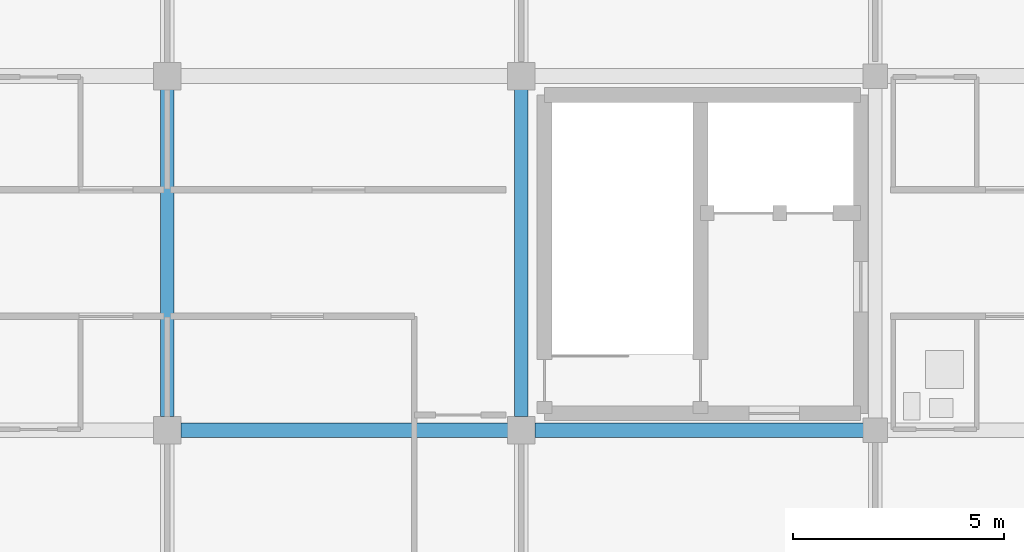
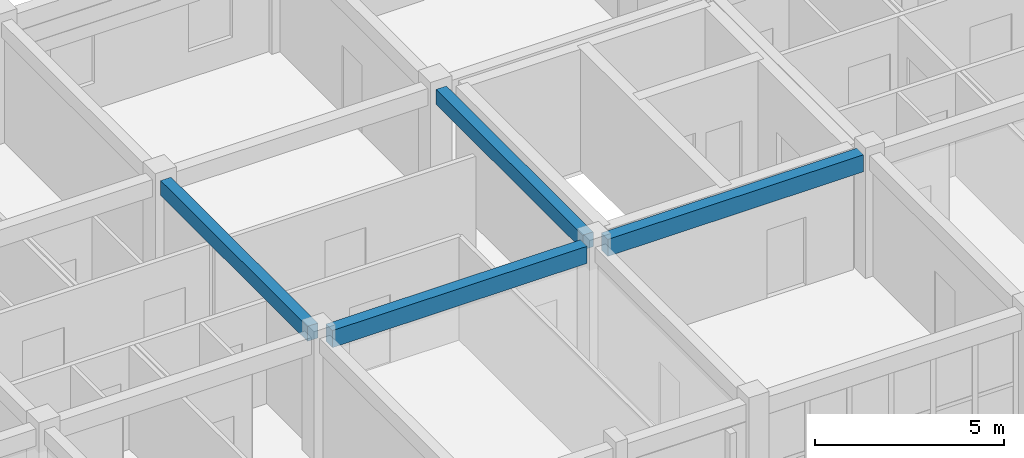
# One storey, part 22 of 81: 4 beams.
"""IFC4 building model written with IfcOpenShell, lengths in metres."""

import ifcopenshell
import ifcopenshell.guid

model = None  # the IFC model being written
_history = None  # IfcOwnerHistory: only IFC2X3 demands one
_inside = {}  # id of a spatial element -> (the spatial element, [elements in it])
_under = {}  # id of a project, library or spatial element -> (it, [spatial elements below it])
_declared = {}  # id of a project -> (the project, [libraries it declares])
_typed = {}  # id of a type object -> (the type object, [elements of that type])
_made_of = {}  # id of a material, layer set ... -> (it, [elements and type objects made of it])


def new_model(schema):
    """Start an empty IFC model of exactly this schema.

    Asked for "IFC4X3", IfcOpenShell would pick the latest addendum, in which some entities
    have other attributes; the version numbers below select the first issue.
    IFC2X3 requires an IfcOwnerHistory on every rooted entity: one is made here for all.
    """
    global model, _history
    if schema == "IFC4X3":
        model = ifcopenshell.file(schema_version=(4, 3, 0, 0))
    else:
        model = ifcopenshell.file(schema=schema)
    _inside.clear()
    _under.clear()
    _declared.clear()
    _typed.clear()
    _made_of.clear()
    _history = None
    if model.schema == "IFC2X3":
        org = make("IfcOrganization", Name="unknown")
        user = make(
            "IfcPersonAndOrganization",
            ThePerson=make("IfcPerson", FamilyName="unknown"),
            TheOrganization=org,
        )
        app = make(
            "IfcApplication",
            ApplicationDeveloper=org,
            Version="unknown",
            ApplicationFullName="unknown",
            ApplicationIdentifier="unknown",
        )
        _history = make(
            "IfcOwnerHistory",
            OwningUser=user,
            OwningApplication=app,
            ChangeAction="ADDED",
            CreationDate=0,
        )
    return model


def make(cls, **values):
    """One entity of the class cls with the attributes given. An attribute that is None is left unset."""
    return model.create_entity(
        cls, **{name: value for name, value in values.items() if value is not None}
    )


def rooted(cls, **values):
    """An entity with a GlobalId (a new one), such as an element, a storey or a relation."""
    return make(cls, GlobalId=ifcopenshell.guid.new(), OwnerHistory=_history, **values)


def si_unit(unit_type, name, prefix=None):
    """IfcSIUnit, for example si_unit("LENGTHUNIT", "METRE", prefix="MILLI")."""
    return make("IfcSIUnit", UnitType=unit_type, Prefix=prefix, Name=name)


def assignment(units):
    """IfcUnitAssignment: the units of a project."""
    return None if units is None else make("IfcUnitAssignment", Units=units)


def point(xyz):
    """IfcCartesianPoint."""
    return None if xyz is None else make("IfcCartesianPoint", Coordinates=xyz)


def direction(xyz):
    """IfcDirection."""
    return None if xyz is None else make("IfcDirection", DirectionRatios=xyz)


def frame(location, z_axis=None, x_axis=None):
    """IfcAxis2Placement3D, a coordinate frame: its origin and axes. An axis left out is left unset."""
    return make(
        "IfcAxis2Placement3D",
        Location=point(location),
        Axis=direction(z_axis),
        RefDirection=direction(x_axis),
    )


def frame_2d(location, x_axis=None):
    """IfcAxis2Placement2D, a coordinate frame in the plane: its origin and x axis."""
    return make(
        "IfcAxis2Placement2D", Location=point(location), RefDirection=direction(x_axis)
    )


def origin():
    """The frame at (0, 0, 0) with its axes left unset."""
    return frame((0.0, 0.0, 0.0))


def origin_2d():
    """The frame at (0, 0) in the plane with its x axis left unset."""
    return frame_2d((0.0, 0.0))


def place(relative_to, where):
    """IfcLocalPlacement: puts the frame where relative to a parent placement (None: the world)."""
    return make(
        "IfcLocalPlacement", PlacementRelTo=relative_to, RelativePlacement=where
    )


def context(
    kind, dimensions, precision=None, world=None, true_north=None, identifier=None
):
    """IfcGeometricRepresentationContext, for example the 3D "Model" context."""
    return make(
        "IfcGeometricRepresentationContext",
        ContextIdentifier=identifier,
        ContextType=kind,
        CoordinateSpaceDimension=dimensions,
        Precision=precision,
        WorldCoordinateSystem=world,
        TrueNorth=true_north,
    )


def subcontext(parent, identifier, kind, view, scale=None):
    """IfcGeometricRepresentationSubContext, for example "Body" below "Model"."""
    return make(
        "IfcGeometricRepresentationSubContext",
        ContextIdentifier=identifier,
        ContextType=kind,
        ParentContext=parent,
        TargetScale=scale,
        TargetView=view,
    )


def project(units=None, contexts=None):
    """IfcProject with its units and contexts."""
    return rooted(
        "IfcProject",
        Name="project",
        RepresentationContexts=contexts,
        UnitsInContext=assignment(units),
    )


def spatial(cls, under=None, at=None, **own):
    """A site, building, storey or space (cls), placed at a placement, below another one or the project."""
    s = rooted(cls, ObjectPlacement=at, **own)
    if under is not None:
        _under.setdefault(under.id(), (under, []))[1].append(s)
    return s


def profile(cls, at=None, kind="AREA", **sizes):
    """A parametric profile (cls). Its sizes go by their IFC names, for example OverallWidth=200.0."""
    return make(cls, ProfileType=kind, Position=at, **sizes)


def rectangle(**sizes):
    """IfcRectangleProfileDef."""
    return profile("IfcRectangleProfileDef", **sizes)


def extrude(swept, where, along, depth):
    """IfcExtrudedAreaSolid: the profile swept, set in the frame where, extruded along a direction by depth."""
    return make(
        "IfcExtrudedAreaSolid",
        SweptArea=swept,
        Position=where,
        ExtrudedDirection=direction(along),
        Depth=depth,
    )


def shape(context_of_items, identifier, shape_type, items):
    """IfcShapeRepresentation: the items that make up one representation, for example the "Body"."""
    return make(
        "IfcShapeRepresentation",
        ContextOfItems=context_of_items,
        RepresentationIdentifier=identifier,
        RepresentationType=shape_type,
        Items=items,
    )


def material(Name=None, Category=None):
    """IfcMaterial."""
    return make("IfcMaterial", Name=Name, Category=Category)


def material_profile(
    of_material, cross_section, Name=None, Category=None, Priority=None
):
    """IfcMaterialProfile: a cross section and its material."""
    return make(
        "IfcMaterialProfile",
        Name=Name,
        Material=of_material,
        Profile=cross_section,
        Priority=Priority,
        Category=Category,
    )


def profile_set(profiles, Name=None, composite=None):
    """IfcMaterialProfileSet."""
    return make(
        "IfcMaterialProfileSet",
        Name=Name,
        MaterialProfiles=profiles,
        CompositeProfile=composite,
    )


def made_of(thing, what):
    """Note that an element or type object is made of a material, layer set ...; save() writes the relation."""
    if what is not None:
        _made_of.setdefault(what.id(), (what, []))[1].append(thing)
    return thing


def type_object(cls, material=None, **own):
    """A type object (cls), such as IfcWallType, which elements share."""
    return made_of(rooted(cls, **own), material)


def element(
    cls,
    number,
    at=None,
    inside=None,
    cuts=None,
    type_object=None,
    material=None,
    context=None,
    identifier="Body",
    shape_type=None,
    held_by="IfcProductDefinitionShape",
    body=None,
    shapes=None,
    **own,
):
    """One element of the class cls, such as IfcWall. Its Tag is "e" and its number.

    at: its placement. inside: the storey or other place that contains it. cuts: it is an
    opening in that element (IfcRelVoidsElement). A single representation is given by context,
    identifier, shape_type and body (its items); several are given by shapes. held_by: the class
    of the entity that holds the representations. save() writes the other relations.
    """
    e = rooted(cls, Tag="e%d" % number, ObjectPlacement=at, **own)
    if body is not None:
        shapes = [shape(context, identifier, shape_type, body)]
    if shapes is not None:
        e.Representation = make(held_by, Representations=shapes)
    if inside is not None:
        _inside.setdefault(inside.id(), (inside, []))[1].append(e)
    if cuts is not None:
        rooted(
            "IfcRelVoidsElement", RelatingBuildingElement=cuts, RelatedOpeningElement=e
        )
    if type_object is not None:
        _typed.setdefault(type_object.id(), (type_object, []))[1].append(e)
    return made_of(e, material)


def aggregate(whole, parts):
    """IfcRelAggregates: a whole, such as a stair, and the parts it consists of."""
    return rooted("IfcRelAggregates", RelatingObject=whole, RelatedObjects=parts)


def save(model, path):
    """Write the relations noted so far, then the file.

    IfcRelAggregates (storeys below a building ...), IfcRelContainedInSpatialStructure (elements
    in a storey), IfcRelDefinesByType, IfcRelAssociatesMaterial and IfcRelDeclares: one each for
    every whole, place, type object, material and project.
    """
    for whole, parts in _under.values():
        aggregate(whole, parts)
    for where, things in _inside.values():
        rooted(
            "IfcRelContainedInSpatialStructure",
            RelatedElements=things,
            RelatingStructure=where,
        )
    for kind, things in _typed.values():
        rooted("IfcRelDefinesByType", RelatedObjects=things, RelatingType=kind)
    for what, things in _made_of.values():
        rooted("IfcRelAssociatesMaterial", RelatedObjects=things, RelatingMaterial=what)
    for by, libraries in _declared.values():
        rooted("IfcRelDeclares", RelatingContext=by, RelatedDefinitions=libraries)
    model.write(path)


model = new_model("IFC4")

# Units and contexts
model_context = context("Model", 3, precision=1e-05, world=origin(), true_north=direction((0.0, 1.0)))
body_context = subcontext(model_context, "Body", "Model", "MODEL_VIEW")
ifc_project = project(units=[si_unit("LENGTHUNIT", "METRE"), si_unit("AREAUNIT", "SQUARE_METRE"), si_unit("VOLUMEUNIT", "CUBIC_METRE"), si_unit("PLANEANGLEUNIT", "RADIAN"), si_unit("MASSUNIT", "GRAM", prefix="KILO")], contexts=[model_context])

# Site, building, storey
site_placement = place(None, origin())
site = spatial("IfcSite", under=ifc_project, at=site_placement, CompositionType="ELEMENT")
building_placement = place(site_placement, origin())
building = spatial("IfcBuilding", under=site, at=building_placement, Name="Trelvath General Hospital", CompositionType="ELEMENT")
storey_placement = place(building_placement, frame((0.0, 0.0, 24.60009765625)))
storey = spatial("IfcBuildingStorey", under=building, at=storey_placement, Name="L06", CompositionType="ELEMENT", Elevation=24.60009765625)

# Beams
ifc_material_1 = material(Name="Concrete C35/45", Category="concrete")
ifc_material_profile_1 = material_profile(ifc_material_1, rectangle(XDim=0.320068359375, YDim=0.47998046875, at=origin_2d()), Name="RCB320x480")
ifc_profile_set_1 = profile_set([ifc_material_profile_1], Name="Concrete C35/45")
beam_type_1 = type_object("IfcBeamType", Name="Beam RC320x480", PredefinedType="BEAM", material=ifc_profile_set_1)
for number, where, z_axis, x_axis, name in (
    (1, (84.0, 8.719970703125, 3.679931640625), (0.0, 1.0, 0.0), (-1.0, 0.0, 0.0), "Grid Beam BY-610B"),
    (2, (92.39990234375, 8.719970703125, 3.679931640625), (0.0, 1.0, 0.0), (-1.0, 0.0, 0.0), "Grid Beam BY-611B"),
):
    element("IfcBeam", number, at=place(storey_placement, frame(where, z_axis=z_axis, x_axis=x_axis)), inside=storey, type_object=beam_type_1, Name=name, PredefinedType="BEAM", context=body_context, shape_type="SweptSolid", body=[
        extrude(rectangle(XDim=0.320068359375, YDim=0.47998046875, at=origin_2d()), origin(), (0.0, 0.0, 1.0), 7.760009765625),
    ])
ifc_material_2 = material(Name="Concrete C35/45", Category="concrete")
ifc_material_profile_2 = material_profile(ifc_material_2, rectangle(XDim=0.35009765625, YDim=0.550048828125, at=origin_2d()), Name="RCB350x550")
ifc_profile_set_2 = profile_set([ifc_material_profile_2], Name="Concrete C35/45")
beam_type_2 = type_object("IfcBeamType", Name="Beam RC350x550", PredefinedType="BEAM", material=ifc_profile_set_2)
beam_1_placement = place(storey_placement, frame((84.320068359375, 8.39990234375, 3.64501953125), z_axis=(1.0, 0.0, 0.0), x_axis=(0.0, 1.0, 0.0)))
element("IfcBeam", 3, at=beam_1_placement, inside=storey, type_object=beam_type_2, Name="Grid Beam BX-610B", PredefinedType="BEAM", context=body_context, shape_type="SweptSolid", body=[
    extrude(rectangle(XDim=0.35009765625, YDim=0.550048828125, at=origin_2d()), origin(), (0.0, 0.0, 1.0), 7.760009765625),
])
beam_2_placement = place(storey_placement, frame((92.719970703125, 8.39990234375, 3.64501953125), z_axis=(1.0, 0.0, 0.0), x_axis=(0.0, 1.0, 0.0)))
element("IfcBeam", 4, at=beam_2_placement, inside=storey, type_object=beam_type_2, Name="Grid Beam BX-611B", PredefinedType="BEAM", context=body_context, shape_type="SweptSolid", body=[
    extrude(rectangle(XDim=0.35009765625, YDim=0.550048828125, at=origin_2d()), origin(), (0.0, 0.0, 1.0), 7.794921875),
])

save(model, "model.ifc")
